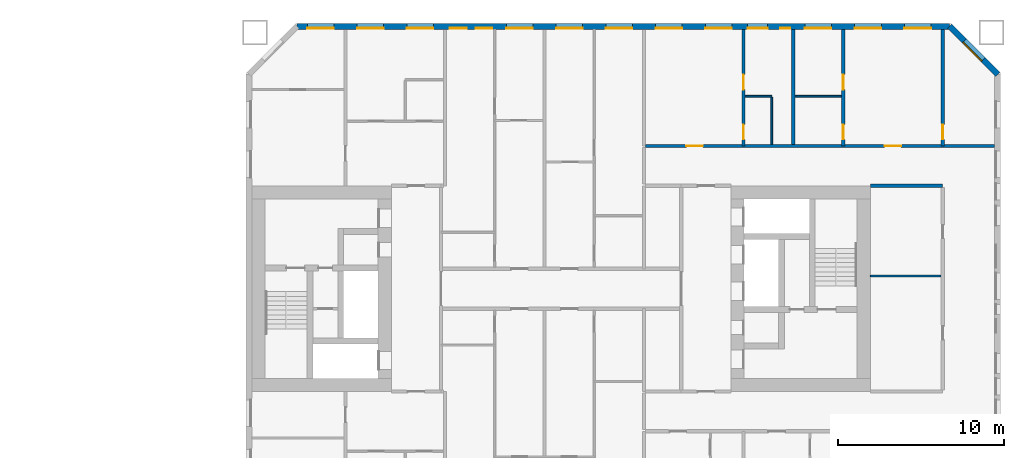
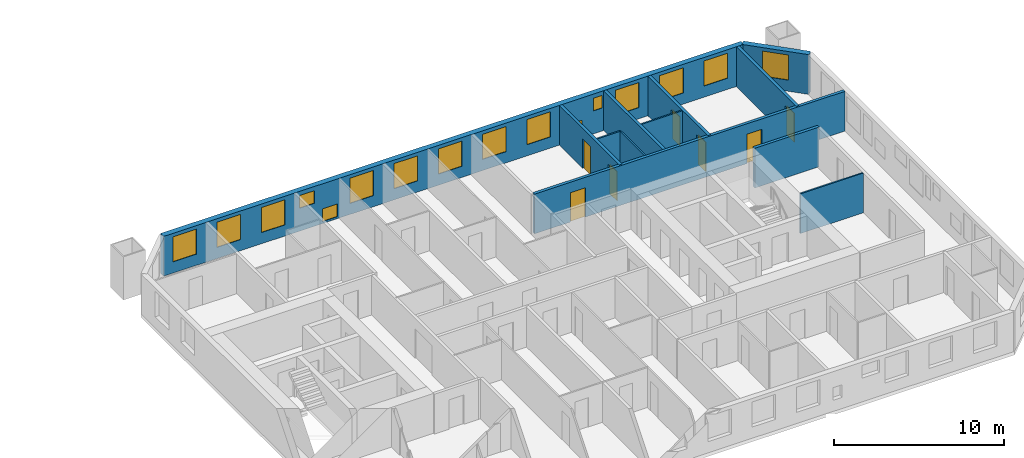
# One storey, part 14 of 17: 16 windows, 12 walls, 7 doors, 23 openings.
"""IFC4 building model written with IfcOpenShell, lengths in metres."""

from ifc_helpers import new_model, si_unit, direction, frame, frame_2d, origin, place, context, subcontext, project, spatial, rectangle, extrude, material, layer, layer_set, type_object, element, fill, save


model = new_model("IFC4")

# Units and contexts
model_context = context("Model", 3, precision=1e-05, world=origin(), true_north=direction((0.0, 1.0)))
body_context = subcontext(model_context, "Body", "Model", "MODEL_VIEW")
ifc_project = project(units=[si_unit("LENGTHUNIT", "METRE"), si_unit("AREAUNIT", "SQUARE_METRE"), si_unit("VOLUMEUNIT", "CUBIC_METRE"), si_unit("PLANEANGLEUNIT", "RADIAN"), si_unit("MASSUNIT", "GRAM", prefix="KILO")], contexts=[model_context])

# Site, building, storey
site_placement = place(None, origin())
site = spatial("IfcSite", under=ifc_project, at=site_placement, CompositionType="ELEMENT")
building_placement = place(site_placement, origin())
building = spatial("IfcBuilding", under=site, at=building_placement, Name="Tuart Gate Housing", CompositionType="ELEMENT")
storey_placement = place(building_placement, frame((0.0, 0.0, 53.60009765625)))
storey = spatial("IfcBuildingStorey", under=building, at=storey_placement, Name="L14", CompositionType="ELEMENT", Elevation=53.60009765625)

# Wall, opening, window
ifc_material_1 = material(Name="Brick", Category="masonry")
ifc_layer_1 = layer(ifc_material_1, 0.360107421875)
ifc_layer_set_1 = layer_set([ifc_layer_1], Name="Brick pier and spandrel wall 360")
wall_type_1 = type_object("IfcWallType", Name="Brick pier and spandrel wall 360", PredefinedType="STANDARD", material=ifc_layer_set_1)
wall_1_placement = place(storey_placement, frame((176.320068359375, 82.92529296875, 0.0), z_axis=(0.0, 0.0, 1.0), x_axis=(-0.707106781187, 0.707106781187, 0.0)))
wall_1 = element("IfcWall", 1, at=wall_1_placement, inside=storey, type_object=wall_type_1, Name="External wall B-NE L14", PredefinedType="STANDARD", context=body_context, shape_type="SweptSolid", body=[
    extrude(rectangle(XDim=4.09375, YDim=0.360107421875, at=frame_2d((2.046875, 0.0))), origin(), (0.0, 0.0, 1.0), 2.849853515625),
])
opening_1_placement = place(wall_1_placement, frame((1.2470703125, 0.0, 0.800048828125)))
opening_1 = element("IfcOpeningElement", 2, at=opening_1_placement, cuts=wall_1, Name="Opening W1", PredefinedType="OPENING", context=body_context, shape_type="SweptSolid", body=[
    extrude(rectangle(XDim=1.60009765625, YDim=1.800048828125, at=frame_2d((0.800048828125, 0.89990234375))), frame((0.0, 0.18994140625, 0.0), z_axis=(0.0, -1.0, 0.0), x_axis=(1.0, 0.0, 0.0)), (0.0, 0.0, 1.0), 0.380126953125),
])
ifc_material_2 = material(Name="Aluminium frame with clear glass", Category="aluminium")
window_type_1 = type_object("IfcWindowType", Name="Punched window 1600 x 1800", PartitioningType="SINGLE_PANEL", PredefinedType="WINDOW", material=ifc_material_2)
window_1_placement = place(opening_1_placement, origin())
window_1 = element("IfcWindow", 3, at=window_1_placement, inside=storey, type_object=window_type_1, Name="Window W1", OverallHeight=1.800048828125, OverallWidth=1.60009765625, PartitioningType="SINGLE_PANEL", PredefinedType="WINDOW", context=body_context, shape_type="SweptSolid", body=[
    extrude(rectangle(XDim=1.60009765625, YDim=1.800048828125, at=frame_2d((0.800048828125, 0.89990234375))), frame((0.0, 0.150146484375, 0.0), z_axis=(0.0, -1.0, 0.0), x_axis=(1.0, 0.0, 0.0)), (0.0, 0.0, 1.0), 0.06005859375),
])
fill(opening_1, window_1)

# Wall, openings, windows
wall_2_placement = place(storey_placement, frame((173.42529296875, 85.820068359375, 0.0), z_axis=(0.0, 0.0, 1.0), x_axis=(-1.0, 0.0, 0.0)))
wall_2 = element("IfcWall", 4, at=wall_2_placement, inside=storey, type_object=wall_type_1, Name="External wall B-N L14", PredefinedType="STANDARD", context=body_context, shape_type="SweptSolid", body=[
    extrude(rectangle(XDim=39.350830078125, YDim=0.360107421875, at=frame_2d((19.67529296875, 0.0))), origin(), (0.0, 0.0, 1.0), 2.849853515625),
])
opening_2_placement = place(wall_2_placement, frame((1.12548828125, 0.0, 0.800048828125)))
opening_2 = element("IfcOpeningElement", 5, at=opening_2_placement, cuts=wall_2, Name="Opening W1", PredefinedType="OPENING", context=body_context, shape_type="SweptSolid", body=[
    extrude(rectangle(XDim=1.60009765625, YDim=1.800048828125, at=frame_2d((0.800048828125, 0.89990234375))), frame((0.0, 0.18994140625, 0.0), z_axis=(0.0, -1.0, 0.0), x_axis=(1.0, 0.0, 0.0)), (0.0, 0.0, 1.0), 0.380126953125),
])
opening_3_placement = place(wall_2_placement, frame((4.12548828125, 0.0, 0.800048828125)))
opening_3 = element("IfcOpeningElement", 6, at=opening_3_placement, cuts=wall_2, Name="Opening W1", PredefinedType="OPENING", context=body_context, shape_type="SweptSolid", body=[
    extrude(rectangle(XDim=1.60009765625, YDim=1.800048828125, at=frame_2d((0.800048828125, 0.89990234375))), frame((0.0, 0.18994140625, 0.0), z_axis=(0.0, -1.0, 0.0), x_axis=(1.0, 0.0, 0.0)), (0.0, 0.0, 1.0), 0.380126953125),
])
opening_4_placement = place(wall_2_placement, frame((7.12548828125, 0.0, 0.800048828125)))
opening_4 = element("IfcOpeningElement", 7, at=opening_4_placement, cuts=wall_2, Name="Opening W1", PredefinedType="OPENING", context=body_context, shape_type="SweptSolid", body=[
    extrude(rectangle(XDim=1.60009765625, YDim=1.800048828125, at=frame_2d((0.800048828125, 0.89990234375))), frame((0.0, 0.18994140625, 0.0), z_axis=(0.0, -1.0, 0.0), x_axis=(1.0, 0.0, 0.0)), (0.0, 0.0, 1.0), 0.380126953125),
])
opening_5_placement = place(wall_2_placement, frame((9.62548828125, 0.0, 1.64990234375)))
opening_5 = element("IfcOpeningElement", 8, at=opening_5_placement, cuts=wall_2, Name="Opening W1W", PredefinedType="OPENING", context=body_context, shape_type="SweptSolid", body=[
    extrude(rectangle(XDim=0.60009765625, YDim=0.89990234375, at=frame_2d((0.300048828125, 0.449951171875))), frame((0.0, 0.18994140625, 0.0), z_axis=(0.0, -1.0, 0.0), x_axis=(1.0, 0.0, 0.0)), (0.0, 0.0, 1.0), 0.380126953125),
])
opening_6_placement = place(wall_2_placement, frame((13.12548828125, 0.0, 0.800048828125)))
opening_6 = element("IfcOpeningElement", 9, at=opening_6_placement, cuts=wall_2, Name="Opening W1", PredefinedType="OPENING", context=body_context, shape_type="SweptSolid", body=[
    extrude(rectangle(XDim=1.60009765625, YDim=1.800048828125, at=frame_2d((0.800048828125, 0.89990234375))), frame((0.0, 0.18994140625, 0.0), z_axis=(0.0, -1.0, 0.0), x_axis=(1.0, 0.0, 0.0)), (0.0, 0.0, 1.0), 0.380126953125),
])
opening_7_placement = place(wall_2_placement, frame((16.12548828125, 0.0, 0.800048828125)))
opening_7 = element("IfcOpeningElement", 10, at=opening_7_placement, cuts=wall_2, Name="Opening W1", PredefinedType="OPENING", context=body_context, shape_type="SweptSolid", body=[
    extrude(rectangle(XDim=1.60009765625, YDim=1.800048828125, at=frame_2d((0.800048828125, 0.89990234375))), frame((0.0, 0.18994140625, 0.0), z_axis=(0.0, -1.0, 0.0), x_axis=(1.0, 0.0, 0.0)), (0.0, 0.0, 1.0), 0.380126953125),
])
opening_8_placement = place(wall_2_placement, frame((19.12548828125, 0.0, 0.800048828125)))
opening_8 = element("IfcOpeningElement", 11, at=opening_8_placement, cuts=wall_2, Name="Opening W1", PredefinedType="OPENING", context=body_context, shape_type="SweptSolid", body=[
    extrude(rectangle(XDim=1.60009765625, YDim=1.800048828125, at=frame_2d((0.800048828125, 0.89990234375))), frame((0.0, 0.18994140625, 0.0), z_axis=(0.0, -1.0, 0.0), x_axis=(1.0, 0.0, 0.0)), (0.0, 0.0, 1.0), 0.380126953125),
])
opening_9_placement = place(wall_2_placement, frame((22.12548828125, 0.0, 0.800048828125)))
opening_9 = element("IfcOpeningElement", 12, at=opening_9_placement, cuts=wall_2, Name="Opening W1", PredefinedType="OPENING", context=body_context, shape_type="SweptSolid", body=[
    extrude(rectangle(XDim=1.60009765625, YDim=1.800048828125, at=frame_2d((0.800048828125, 0.89990234375))), frame((0.0, 0.18994140625, 0.0), z_axis=(0.0, -1.0, 0.0), x_axis=(1.0, 0.0, 0.0)), (0.0, 0.0, 1.0), 0.380126953125),
])
opening_10_placement = place(wall_2_placement, frame((25.12548828125, 0.0, 0.800048828125)))
opening_10 = element("IfcOpeningElement", 13, at=opening_10_placement, cuts=wall_2, Name="Opening W1", PredefinedType="OPENING", context=body_context, shape_type="SweptSolid", body=[
    extrude(rectangle(XDim=1.60009765625, YDim=1.800048828125, at=frame_2d((0.800048828125, 0.89990234375))), frame((0.0, 0.18994140625, 0.0), z_axis=(0.0, -1.0, 0.0), x_axis=(1.0, 0.0, 0.0)), (0.0, 0.0, 1.0), 0.380126953125),
])
opening_11_placement = place(wall_2_placement, frame((27.575439453125, 0.0, 0.14990234375)))
opening_11 = element("IfcOpeningElement", 14, at=opening_11_placement, cuts=wall_2, Name="Opening W1U", PredefinedType="OPENING", context=body_context, shape_type="SweptSolid", body=[
    extrude(rectangle(XDim=1.0, YDim=0.89990234375, at=frame_2d((0.5, 0.449951171875))), frame((0.0, 0.18994140625, 0.0), z_axis=(0.0, -1.0, 0.0), x_axis=(1.0, 0.0, 0.0)), (0.0, 0.0, 1.0), 0.380126953125),
])
opening_12_placement = place(wall_2_placement, frame((31.12548828125, 0.0, 0.800048828125)))
opening_12 = element("IfcOpeningElement", 15, at=opening_12_placement, cuts=wall_2, Name="Opening W1", PredefinedType="OPENING", context=body_context, shape_type="SweptSolid", body=[
    extrude(rectangle(XDim=1.60009765625, YDim=1.800048828125, at=frame_2d((0.800048828125, 0.89990234375))), frame((0.0, 0.18994140625, 0.0), z_axis=(0.0, -1.0, 0.0), x_axis=(1.0, 0.0, 0.0)), (0.0, 0.0, 1.0), 0.380126953125),
])
opening_13_placement = place(wall_2_placement, frame((34.12548828125, 0.0, 0.800048828125)))
opening_13 = element("IfcOpeningElement", 16, at=opening_13_placement, cuts=wall_2, Name="Opening W1", PredefinedType="OPENING", context=body_context, shape_type="SweptSolid", body=[
    extrude(rectangle(XDim=1.60009765625, YDim=1.800048828125, at=frame_2d((0.800048828125, 0.89990234375))), frame((0.0, 0.18994140625, 0.0), z_axis=(0.0, -1.0, 0.0), x_axis=(1.0, 0.0, 0.0)), (0.0, 0.0, 1.0), 0.380126953125),
])
opening_14_placement = place(wall_2_placement, frame((37.12548828125, 0.0, 0.800048828125)))
opening_14 = element("IfcOpeningElement", 17, at=opening_14_placement, cuts=wall_2, Name="Opening W1", PredefinedType="OPENING", context=body_context, shape_type="SweptSolid", body=[
    extrude(rectangle(XDim=1.60009765625, YDim=1.800048828125, at=frame_2d((0.800048828125, 0.89990234375))), frame((0.0, 0.18994140625, 0.0), z_axis=(0.0, -1.0, 0.0), x_axis=(1.0, 0.0, 0.0)), (0.0, 0.0, 1.0), 0.380126953125),
])
opening_15_placement = place(wall_2_placement, frame((10.975341796875, 0.0, 0.35009765625)))
opening_15 = element("IfcOpeningElement", 18, at=opening_15_placement, cuts=wall_2, Name="Opening W1T", PredefinedType="OPENING", context=body_context, shape_type="SweptSolid", body=[
    extrude(rectangle(XDim=1.199951171875, YDim=0.89990234375, at=frame_2d((0.60009765625, 0.449951171875))), frame((0.0, 0.18994140625, 0.0), z_axis=(0.0, -1.0, 0.0), x_axis=(1.0, 0.0, 0.0)), (0.0, 0.0, 1.0), 0.380126953125),
])
opening_16_placement = place(wall_2_placement, frame((29.12548828125, 0.0, 1.64990234375)))
opening_16 = element("IfcOpeningElement", 19, at=opening_16_placement, cuts=wall_2, Name="Opening W1U", PredefinedType="OPENING", context=body_context, shape_type="SweptSolid", body=[
    extrude(rectangle(XDim=1.0, YDim=0.89990234375, at=frame_2d((0.5, 0.449951171875))), frame((0.0, 0.18994140625, 0.0), z_axis=(0.0, -1.0, 0.0), x_axis=(1.0, 0.0, 0.0)), (0.0, 0.0, 1.0), 0.380126953125),
])
ifc_material_3 = material(Name="Aluminium frame with clear glass", Category="aluminium")
window_type_2 = type_object("IfcWindowType", Name="Punched window 1000 x 900", PartitioningType="SINGLE_PANEL", PredefinedType="WINDOW", material=ifc_material_3)
window_2_placement = place(opening_11_placement, origin())
window_2 = element("IfcWindow", 20, at=window_2_placement, inside=storey, type_object=window_type_2, Name="Window W1U", OverallHeight=0.89990234375, OverallWidth=1.0, PartitioningType="SINGLE_PANEL", PredefinedType="WINDOW", context=body_context, shape_type="SweptSolid", body=[
    extrude(rectangle(XDim=1.0, YDim=0.89990234375, at=frame_2d((0.5, 0.449951171875))), frame((0.0, 0.150146484375, 0.0), z_axis=(0.0, -1.0, 0.0), x_axis=(1.0, 0.0, 0.0)), (0.0, 0.0, 1.0), 0.06005859375),
])
fill(opening_11, window_2)
window_3_placement = place(opening_16_placement, origin())
window_3 = element("IfcWindow", 21, at=window_3_placement, inside=storey, type_object=window_type_2, Name="Window W1U", OverallHeight=0.89990234375, OverallWidth=1.0, PartitioningType="SINGLE_PANEL", PredefinedType="WINDOW", context=body_context, shape_type="SweptSolid", body=[
    extrude(rectangle(XDim=1.0, YDim=0.89990234375, at=frame_2d((0.5, 0.449951171875))), frame((0.0, 0.150146484375, 0.0), z_axis=(0.0, -1.0, 0.0), x_axis=(1.0, 0.0, 0.0)), (0.0, 0.0, 1.0), 0.06005859375),
])
fill(opening_16, window_3)
ifc_material_4 = material(Name="Aluminium frame with clear glass", Category="aluminium")
window_type_3 = type_object("IfcWindowType", Name="Punched window 1200 x 900", PartitioningType="SINGLE_PANEL", PredefinedType="WINDOW", material=ifc_material_4)
window_4_placement = place(opening_15_placement, origin())
window_4 = element("IfcWindow", 22, at=window_4_placement, inside=storey, type_object=window_type_3, Name="Window W1T", OverallHeight=0.89990234375, OverallWidth=1.199951171875, PartitioningType="SINGLE_PANEL", PredefinedType="WINDOW", context=body_context, shape_type="SweptSolid", body=[
    extrude(rectangle(XDim=1.199951171875, YDim=0.89990234375, at=frame_2d((0.60009765625, 0.449951171875))), frame((0.0, 0.150146484375, 0.0), z_axis=(0.0, -1.0, 0.0), x_axis=(1.0, 0.0, 0.0)), (0.0, 0.0, 1.0), 0.06005859375),
])
fill(opening_15, window_4)
window_5_placement = place(opening_2_placement, origin())
window_5 = element("IfcWindow", 23, at=window_5_placement, inside=storey, type_object=window_type_1, Name="Window W1", OverallHeight=1.800048828125, OverallWidth=1.60009765625, PartitioningType="SINGLE_PANEL", PredefinedType="WINDOW", context=body_context, shape_type="SweptSolid", body=[
    extrude(rectangle(XDim=1.60009765625, YDim=1.800048828125, at=frame_2d((0.800048828125, 0.89990234375))), frame((0.0, 0.150146484375, 0.0), z_axis=(0.0, -1.0, 0.0), x_axis=(1.0, 0.0, 0.0)), (0.0, 0.0, 1.0), 0.06005859375),
])
fill(opening_2, window_5)
window_6_placement = place(opening_3_placement, origin())
window_6 = element("IfcWindow", 24, at=window_6_placement, inside=storey, type_object=window_type_1, Name="Window W1", OverallHeight=1.800048828125, OverallWidth=1.60009765625, PartitioningType="SINGLE_PANEL", PredefinedType="WINDOW", context=body_context, shape_type="SweptSolid", body=[
    extrude(rectangle(XDim=1.60009765625, YDim=1.800048828125, at=frame_2d((0.800048828125, 0.89990234375))), frame((0.0, 0.150146484375, 0.0), z_axis=(0.0, -1.0, 0.0), x_axis=(1.0, 0.0, 0.0)), (0.0, 0.0, 1.0), 0.06005859375),
])
fill(opening_3, window_6)
window_7_placement = place(opening_4_placement, origin())
window_7 = element("IfcWindow", 25, at=window_7_placement, inside=storey, type_object=window_type_1, Name="Window W1", OverallHeight=1.800048828125, OverallWidth=1.60009765625, PartitioningType="SINGLE_PANEL", PredefinedType="WINDOW", context=body_context, shape_type="SweptSolid", body=[
    extrude(rectangle(XDim=1.60009765625, YDim=1.800048828125, at=frame_2d((0.800048828125, 0.89990234375))), frame((0.0, 0.150146484375, 0.0), z_axis=(0.0, -1.0, 0.0), x_axis=(1.0, 0.0, 0.0)), (0.0, 0.0, 1.0), 0.06005859375),
])
fill(opening_4, window_7)
window_8_placement = place(opening_6_placement, origin())
window_8 = element("IfcWindow", 26, at=window_8_placement, inside=storey, type_object=window_type_1, Name="Window W1", OverallHeight=1.800048828125, OverallWidth=1.60009765625, PartitioningType="SINGLE_PANEL", PredefinedType="WINDOW", context=body_context, shape_type="SweptSolid", body=[
    extrude(rectangle(XDim=1.60009765625, YDim=1.800048828125, at=frame_2d((0.800048828125, 0.89990234375))), frame((0.0, 0.150146484375, 0.0), z_axis=(0.0, -1.0, 0.0), x_axis=(1.0, 0.0, 0.0)), (0.0, 0.0, 1.0), 0.06005859375),
])
fill(opening_6, window_8)
window_9_placement = place(opening_7_placement, origin())
window_9 = element("IfcWindow", 27, at=window_9_placement, inside=storey, type_object=window_type_1, Name="Window W1", OverallHeight=1.800048828125, OverallWidth=1.60009765625, PartitioningType="SINGLE_PANEL", PredefinedType="WINDOW", context=body_context, shape_type="SweptSolid", body=[
    extrude(rectangle(XDim=1.60009765625, YDim=1.800048828125, at=frame_2d((0.800048828125, 0.89990234375))), frame((0.0, 0.150146484375, 0.0), z_axis=(0.0, -1.0, 0.0), x_axis=(1.0, 0.0, 0.0)), (0.0, 0.0, 1.0), 0.06005859375),
])
fill(opening_7, window_9)
window_10_placement = place(opening_8_placement, origin())
window_10 = element("IfcWindow", 28, at=window_10_placement, inside=storey, type_object=window_type_1, Name="Window W1", OverallHeight=1.800048828125, OverallWidth=1.60009765625, PartitioningType="SINGLE_PANEL", PredefinedType="WINDOW", context=body_context, shape_type="SweptSolid", body=[
    extrude(rectangle(XDim=1.60009765625, YDim=1.800048828125, at=frame_2d((0.800048828125, 0.89990234375))), frame((0.0, 0.150146484375, 0.0), z_axis=(0.0, -1.0, 0.0), x_axis=(1.0, 0.0, 0.0)), (0.0, 0.0, 1.0), 0.06005859375),
])
fill(opening_8, window_10)
window_11_placement = place(opening_9_placement, origin())
window_11 = element("IfcWindow", 29, at=window_11_placement, inside=storey, type_object=window_type_1, Name="Window W1", OverallHeight=1.800048828125, OverallWidth=1.60009765625, PartitioningType="SINGLE_PANEL", PredefinedType="WINDOW", context=body_context, shape_type="SweptSolid", body=[
    extrude(rectangle(XDim=1.60009765625, YDim=1.800048828125, at=frame_2d((0.800048828125, 0.89990234375))), frame((0.0, 0.150146484375, 0.0), z_axis=(0.0, -1.0, 0.0), x_axis=(1.0, 0.0, 0.0)), (0.0, 0.0, 1.0), 0.06005859375),
])
fill(opening_9, window_11)
window_12_placement = place(opening_10_placement, origin())
window_12 = element("IfcWindow", 30, at=window_12_placement, inside=storey, type_object=window_type_1, Name="Window W1", OverallHeight=1.800048828125, OverallWidth=1.60009765625, PartitioningType="SINGLE_PANEL", PredefinedType="WINDOW", context=body_context, shape_type="SweptSolid", body=[
    extrude(rectangle(XDim=1.60009765625, YDim=1.800048828125, at=frame_2d((0.800048828125, 0.89990234375))), frame((0.0, 0.150146484375, 0.0), z_axis=(0.0, -1.0, 0.0), x_axis=(1.0, 0.0, 0.0)), (0.0, 0.0, 1.0), 0.06005859375),
])
fill(opening_10, window_12)
window_13_placement = place(opening_12_placement, origin())
window_13 = element("IfcWindow", 31, at=window_13_placement, inside=storey, type_object=window_type_1, Name="Window W1", OverallHeight=1.800048828125, OverallWidth=1.60009765625, PartitioningType="SINGLE_PANEL", PredefinedType="WINDOW", context=body_context, shape_type="SweptSolid", body=[
    extrude(rectangle(XDim=1.60009765625, YDim=1.800048828125, at=frame_2d((0.800048828125, 0.89990234375))), frame((0.0, 0.150146484375, 0.0), z_axis=(0.0, -1.0, 0.0), x_axis=(1.0, 0.0, 0.0)), (0.0, 0.0, 1.0), 0.06005859375),
])
fill(opening_12, window_13)
window_14_placement = place(opening_13_placement, origin())
window_14 = element("IfcWindow", 32, at=window_14_placement, inside=storey, type_object=window_type_1, Name="Window W1", OverallHeight=1.800048828125, OverallWidth=1.60009765625, PartitioningType="SINGLE_PANEL", PredefinedType="WINDOW", context=body_context, shape_type="SweptSolid", body=[
    extrude(rectangle(XDim=1.60009765625, YDim=1.800048828125, at=frame_2d((0.800048828125, 0.89990234375))), frame((0.0, 0.150146484375, 0.0), z_axis=(0.0, -1.0, 0.0), x_axis=(1.0, 0.0, 0.0)), (0.0, 0.0, 1.0), 0.06005859375),
])
fill(opening_13, window_14)
window_15_placement = place(opening_14_placement, origin())
window_15 = element("IfcWindow", 33, at=window_15_placement, inside=storey, type_object=window_type_1, Name="Window W1", OverallHeight=1.800048828125, OverallWidth=1.60009765625, PartitioningType="SINGLE_PANEL", PredefinedType="WINDOW", context=body_context, shape_type="SweptSolid", body=[
    extrude(rectangle(XDim=1.60009765625, YDim=1.800048828125, at=frame_2d((0.800048828125, 0.89990234375))), frame((0.0, 0.150146484375, 0.0), z_axis=(0.0, -1.0, 0.0), x_axis=(1.0, 0.0, 0.0)), (0.0, 0.0, 1.0), 0.06005859375),
])
fill(opening_14, window_15)
ifc_material_5 = material(Name="Aluminium frame with clear glass", Category="aluminium")
window_type_4 = type_object("IfcWindowType", Name="Punched window 600 x 900", PartitioningType="SINGLE_PANEL", PredefinedType="WINDOW", material=ifc_material_5)
window_16_placement = place(opening_5_placement, origin())
window_16 = element("IfcWindow", 34, at=window_16_placement, inside=storey, type_object=window_type_4, Name="Window W1W", OverallHeight=0.89990234375, OverallWidth=0.60009765625, PartitioningType="SINGLE_PANEL", PredefinedType="WINDOW", context=body_context, shape_type="SweptSolid", body=[
    extrude(rectangle(XDim=0.60009765625, YDim=0.89990234375, at=frame_2d((0.300048828125, 0.449951171875))), frame((0.0, 0.150146484375, 0.0), z_axis=(0.0, -1.0, 0.0), x_axis=(1.0, 0.0, 0.0)), (0.0, 0.0, 1.0), 0.06005859375),
])
fill(opening_5, window_16)

# Wall
ifc_material_6 = material(Name="Concrete masonry 15 MPa", Category="masonry")
ifc_layer_2 = layer(ifc_material_6, 0.199951171875)
ifc_layer_set_2 = layer_set([ifc_layer_2], Name="Corridor wall masonry 200")
wall_type_2 = type_object("IfcWallType", Name="Corridor wall masonry 200", PredefinedType="PARTITIONING", material=ifc_layer_set_2)
wall_3_placement = place(storey_placement, frame((168.639892578125, 76.199951171875, 0.0), z_axis=(0.0, 0.0, 1.0), x_axis=(1.0, 0.0, 0.0)))
element("IfcWall", 35, at=wall_3_placement, inside=storey, type_object=wall_type_2, Name="Corridor wall masonry 200", PredefinedType="PARTITIONING", context=body_context, shape_type="SweptSolid", body=[
    extrude(rectangle(XDim=4.360107421875, YDim=0.199951171875, at=frame_2d((2.18017578125, 0.0))), origin(), (0.0, 0.0, 1.0), 2.849853515625),
])

# Wall, openings, doors
wall_4_placement = place(storey_placement, frame((155.10009765625, 78.60009765625, 0.0), z_axis=(0.0, 0.0, 1.0), x_axis=(1.0, 0.0, 0.0)))
wall_4 = element("IfcWall", 36, at=wall_4_placement, inside=storey, type_object=wall_type_2, Name="Corridor wall masonry 200", PredefinedType="PARTITIONING", context=body_context, shape_type="SweptSolid", body=[
    extrude(rectangle(XDim=21.039794921875, YDim=0.199951171875, at=frame_2d((10.52001953125, 0.0))), origin(), (0.0, 0.0, 1.0), 2.849853515625),
])
opening_17_placement = place(wall_4_placement, frame((2.449951171875, 0.0, 0.0)))
opening_17 = element("IfcOpeningElement", 37, at=opening_17_placement, cuts=wall_4, Name="Opening D788", PredefinedType="OPENING", context=body_context, shape_type="SweptSolid", body=[
    extrude(rectangle(XDim=1.0, YDim=2.10009765625, at=frame_2d((0.5, 1.050048828125))), frame((0.0, 0.10986328125, 0.0), z_axis=(0.0, -1.0, 0.0), x_axis=(1.0, 0.0, 0.0)), (0.0, 0.0, 1.0), 0.219970703125),
])
opening_18_placement = place(wall_4_placement, frame((14.39990234375, 0.0, 0.0)))
opening_18 = element("IfcOpeningElement", 38, at=opening_18_placement, cuts=wall_4, Name="Opening D789", PredefinedType="OPENING", context=body_context, shape_type="SweptSolid", body=[
    extrude(rectangle(XDim=1.0, YDim=2.10009765625, at=frame_2d((0.5, 1.050048828125))), frame((0.0, 0.10986328125, 0.0), z_axis=(0.0, -1.0, 0.0), x_axis=(1.0, 0.0, 0.0)), (0.0, 0.0, 1.0), 0.219970703125),
])
ifc_material_7 = material(Name="Timber door leaf in steel frame", Category="steel")
door_type_1 = type_object("IfcDoorType", Name="Flat entrance door 1000", OperationType="SINGLE_SWING_LEFT", PredefinedType="DOOR", material=ifc_material_7)
door_1_placement = place(opening_18_placement, origin())
door_1 = element("IfcDoor", 39, at=door_1_placement, inside=storey, type_object=door_type_1, Name="Flat entrance door", OperationType="SINGLE_SWING_LEFT", OverallHeight=2.10009765625, OverallWidth=1.0, PredefinedType="DOOR", context=body_context, shape_type="SweptSolid", body=[
    extrude(rectangle(XDim=1.0, YDim=2.10009765625, at=frame_2d((0.5, 1.050048828125))), frame((0.0, 0.02490234375, 0.0), z_axis=(0.0, -1.0, 0.0), x_axis=(1.0, 0.0, 0.0)), (0.0, 0.0, 1.0), 0.050048828125),
])
fill(opening_18, door_1)
ifc_material_8 = material(Name="Timber door leaf in steel frame", Category="steel")
door_type_2 = type_object("IfcDoorType", Name="Flat entrance door 1000 RH", OperationType="SINGLE_SWING_RIGHT", PredefinedType="DOOR", material=ifc_material_8)
door_2_placement = place(opening_17_placement, origin())
door_2 = element("IfcDoor", 40, at=door_2_placement, inside=storey, type_object=door_type_2, Name="Flat entrance door", OperationType="SINGLE_SWING_RIGHT", OverallHeight=2.10009765625, OverallWidth=1.0, PredefinedType="DOOR", context=body_context, shape_type="SweptSolid", body=[
    extrude(rectangle(XDim=1.0, YDim=2.10009765625, at=frame_2d((0.5, 1.050048828125))), frame((0.0, 0.02490234375, 0.0), z_axis=(0.0, -1.0, 0.0), x_axis=(1.0, 0.0, 0.0)), (0.0, 0.0, 1.0), 0.050048828125),
])
fill(opening_17, door_2)

# Walls
ifc_material_9 = material(Name="Gypsum board on steel studs", Category="steel")
ifc_layer_3 = layer(ifc_material_9, 0.10009765625)
ifc_layer_set_3 = layer_set([ifc_layer_3], Name="Partition 100")
wall_type_3 = type_object("IfcWallType", Name="Partition 100", PredefinedType="PARTITIONING", material=ifc_layer_set_3)
wall_5_placement = place(storey_placement, frame((168.639892578125, 70.77001953125, 0.0), z_axis=(0.0, 0.0, 1.0), x_axis=(1.0, 0.0, 0.0)))
element("IfcWall", 41, at=wall_5_placement, inside=storey, type_object=wall_type_3, Name="Partition 100", PredefinedType="PARTITIONING", context=body_context, shape_type="SweptSolid", body=[
    extrude(rectangle(XDim=4.260009765625, YDim=0.10009765625, at=frame_2d((2.1298828125, 0.0))), origin(), (0.0, 0.0, 1.0), 2.849853515625),
])
wall_6_placement = place(storey_placement, frame((161.10009765625, 81.60009765625, 0.0), z_axis=(0.0, 0.0, 1.0), x_axis=(1.0, 0.0, 0.0)))
element("IfcWall", 42, at=wall_6_placement, inside=storey, type_object=wall_type_3, Name="Partition 100", PredefinedType="PARTITIONING", context=body_context, shape_type="SweptSolid", body=[
    extrude(rectangle(XDim=1.599853515625, YDim=0.10009765625, at=frame_2d((0.7998046875, 0.0))), origin(), (0.0, 0.0, 1.0), 2.849853515625),
])
wall_7_placement = place(storey_placement, frame((164.10009765625, 81.60009765625, 0.0), z_axis=(0.0, 0.0, 1.0), x_axis=(1.0, 0.0, 0.0)))
element("IfcWall", 43, at=wall_7_placement, inside=storey, type_object=wall_type_3, Name="Partition 100", PredefinedType="PARTITIONING", context=body_context, shape_type="SweptSolid", body=[
    extrude(rectangle(XDim=2.7998046875, YDim=0.10009765625, at=frame_2d((1.39990234375, 0.0))), origin(), (0.0, 0.0, 1.0), 2.849853515625),
])
wall_8_placement = place(storey_placement, frame((162.699951171875, 78.699951171875, 0.0), z_axis=(0.0, 0.0, 1.0), x_axis=(0.0, 1.0, 0.0)))
element("IfcWall", 44, at=wall_8_placement, inside=storey, type_object=wall_type_3, Name="Partition 100", PredefinedType="PARTITIONING", context=body_context, shape_type="SweptSolid", body=[
    extrude(rectangle(XDim=2.85009765625, YDim=0.10009765625, at=frame_2d((1.425048828125, 0.0))), origin(), (0.0, 0.0, 1.0), 2.849853515625),
])

# Wall, openings, doors
ifc_material_10 = material(Name="Concrete C40", Category="concrete")
ifc_layer_4 = layer(ifc_material_10, 0.199951171875)
ifc_layer_set_4 = layer_set([ifc_layer_4], Name="Party wall concrete C40 200")
wall_type_4 = type_object("IfcWallType", Name="Party wall concrete C40 200", PredefinedType="SOLIDWALL", material=ifc_layer_set_4)
wall_9_placement = place(storey_placement, frame((161.0, 78.60009765625, 0.0), z_axis=(0.0, 0.0, 1.0), x_axis=(0.0, 1.0, 0.0)))
wall_9 = element("IfcWall", 45, at=wall_9_placement, inside=storey, type_object=wall_type_4, Name="Party wall concrete C40 200", PredefinedType="SOLIDWALL", context=body_context, shape_type="SweptSolid", body=[
    extrude(rectangle(XDim=7.039794921875, YDim=0.199951171875, at=frame_2d((3.52001953125, 0.0))), origin(), (0.0, 0.0, 1.0), 2.849853515625),
])
opening_19_placement = place(wall_9_placement, frame((3.39990234375, 0.0, 0.0)))
opening_19 = element("IfcOpeningElement", 46, at=opening_19_placement, cuts=wall_9, Name="Opening D779", PredefinedType="OPENING", context=body_context, shape_type="SweptSolid", body=[
    extrude(rectangle(XDim=0.89990234375, YDim=2.10009765625, at=frame_2d((0.449951171875, 1.050048828125))), frame((0.0, 0.10986328125, 0.0), z_axis=(0.0, -1.0, 0.0), x_axis=(1.0, 0.0, 0.0)), (0.0, 0.0, 1.0), 0.219970703125),
])
opening_20_placement = place(wall_9_placement, frame((0.39990234375, 0.0, 0.0)))
opening_20 = element("IfcOpeningElement", 47, at=opening_20_placement, cuts=wall_9, Name="Opening D778", PredefinedType="OPENING", context=body_context, shape_type="SweptSolid", body=[
    extrude(rectangle(XDim=0.89990234375, YDim=2.10009765625, at=frame_2d((0.449951171875, 1.050048828125))), frame((0.0, 0.10986328125, 0.0), z_axis=(0.0, -1.0, 0.0), x_axis=(1.0, 0.0, 0.0)), (0.0, 0.0, 1.0), 0.219970703125),
])
ifc_material_11 = material(Name="Timber door leaf in steel frame", Category="steel")
door_type_3 = type_object("IfcDoorType", Name="Bathroom door 900 RH", OperationType="SINGLE_SWING_RIGHT", PredefinedType="DOOR", material=ifc_material_11)
door_3_placement = place(opening_20_placement, frame((0.89990234375, 0.0, 0.0), z_axis=(0.0, 0.0, 1.0), x_axis=(-1.0, 0.0, 0.0)))
door_3 = element("IfcDoor", 48, at=door_3_placement, inside=storey, type_object=door_type_3, Name="Bathroom door", OperationType="SINGLE_SWING_RIGHT", OverallHeight=2.10009765625, OverallWidth=0.89990234375, PredefinedType="DOOR", context=body_context, shape_type="SweptSolid", body=[
    extrude(rectangle(XDim=0.89990234375, YDim=2.10009765625, at=frame_2d((0.449951171875, 1.050048828125))), frame((0.0, 0.025146484375, 0.0), z_axis=(0.0, -1.0, 0.0), x_axis=(1.0, 0.0, 0.0)), (0.0, 0.0, 1.0), 0.050048828125),
])
fill(opening_20, door_3)
ifc_material_12 = material(Name="Timber door leaf in steel frame", Category="steel")
door_type_4 = type_object("IfcDoorType", Name="Internal door 900 RH", OperationType="SINGLE_SWING_RIGHT", PredefinedType="DOOR", material=ifc_material_12)
door_4_placement = place(opening_19_placement, frame((0.89990234375, 0.0, 0.0), z_axis=(0.0, 0.0, 1.0), x_axis=(-1.0, 0.0, 0.0)))
door_4 = element("IfcDoor", 49, at=door_4_placement, inside=storey, type_object=door_type_4, Name="Internal door", OperationType="SINGLE_SWING_RIGHT", OverallHeight=2.10009765625, OverallWidth=0.89990234375, PredefinedType="DOOR", context=body_context, shape_type="SweptSolid", body=[
    extrude(rectangle(XDim=0.89990234375, YDim=2.10009765625, at=frame_2d((0.449951171875, 1.050048828125))), frame((0.0, 0.025146484375, 0.0), z_axis=(0.0, -1.0, 0.0), x_axis=(1.0, 0.0, 0.0)), (0.0, 0.0, 1.0), 0.050048828125),
])
fill(opening_19, door_4)

wall_10_placement = place(storey_placement, frame((167.0, 78.60009765625, 0.0), z_axis=(0.0, 0.0, 1.0), x_axis=(0.0, 1.0, 0.0)))
wall_10 = element("IfcWall", 50, at=wall_10_placement, inside=storey, type_object=wall_type_4, Name="Party wall concrete C40 200", PredefinedType="SOLIDWALL", context=body_context, shape_type="SweptSolid", body=[
    extrude(rectangle(XDim=7.039794921875, YDim=0.199951171875, at=frame_2d((3.52001953125, 0.0))), origin(), (0.0, 0.0, 1.0), 2.849853515625),
])
opening_21_placement = place(wall_10_placement, frame((3.39990234375, 0.0, 0.0)))
opening_21 = element("IfcOpeningElement", 51, at=opening_21_placement, cuts=wall_10, Name="Opening D781", PredefinedType="OPENING", context=body_context, shape_type="SweptSolid", body=[
    extrude(rectangle(XDim=0.89990234375, YDim=2.10009765625, at=frame_2d((0.449951171875, 1.050048828125))), frame((0.0, 0.10986328125, 0.0), z_axis=(0.0, -1.0, 0.0), x_axis=(1.0, 0.0, 0.0)), (0.0, 0.0, 1.0), 0.219970703125),
])
opening_22_placement = place(wall_10_placement, frame((0.39990234375, 0.0, 0.0)))
opening_22 = element("IfcOpeningElement", 52, at=opening_22_placement, cuts=wall_10, Name="Opening D780", PredefinedType="OPENING", context=body_context, shape_type="SweptSolid", body=[
    extrude(rectangle(XDim=0.89990234375, YDim=2.10009765625, at=frame_2d((0.449951171875, 1.050048828125))), frame((0.0, 0.10986328125, 0.0), z_axis=(0.0, -1.0, 0.0), x_axis=(1.0, 0.0, 0.0)), (0.0, 0.0, 1.0), 0.219970703125),
])
ifc_material_13 = material(Name="Timber door leaf in steel frame", Category="steel")
door_type_5 = type_object("IfcDoorType", Name="Bathroom door 900", OperationType="SINGLE_SWING_LEFT", PredefinedType="DOOR", material=ifc_material_13)
door_5_placement = place(opening_22_placement, origin())
door_5 = element("IfcDoor", 53, at=door_5_placement, inside=storey, type_object=door_type_5, Name="Bathroom door", OperationType="SINGLE_SWING_LEFT", OverallHeight=2.10009765625, OverallWidth=0.89990234375, PredefinedType="DOOR", context=body_context, shape_type="SweptSolid", body=[
    extrude(rectangle(XDim=0.89990234375, YDim=2.10009765625, at=frame_2d((0.449951171875, 1.050048828125))), frame((0.0, 0.02490234375, 0.0), z_axis=(0.0, -1.0, 0.0), x_axis=(1.0, 0.0, 0.0)), (0.0, 0.0, 1.0), 0.050048828125),
])
fill(opening_22, door_5)
ifc_material_14 = material(Name="Timber door leaf in steel frame", Category="steel")
door_type_6 = type_object("IfcDoorType", Name="Internal door 900", OperationType="SINGLE_SWING_LEFT", PredefinedType="DOOR", material=ifc_material_14)
door_6_placement = place(opening_21_placement, origin())
door_6 = element("IfcDoor", 54, at=door_6_placement, inside=storey, type_object=door_type_6, Name="Internal door", OperationType="SINGLE_SWING_LEFT", OverallHeight=2.10009765625, OverallWidth=0.89990234375, PredefinedType="DOOR", context=body_context, shape_type="SweptSolid", body=[
    extrude(rectangle(XDim=0.89990234375, YDim=2.10009765625, at=frame_2d((0.449951171875, 1.050048828125))), frame((0.0, 0.02490234375, 0.0), z_axis=(0.0, -1.0, 0.0), x_axis=(1.0, 0.0, 0.0)), (0.0, 0.0, 1.0), 0.050048828125),
])
fill(opening_21, door_6)

# Wall, opening, door
wall_11_placement = place(storey_placement, frame((173.0, 78.60009765625, 0.0), z_axis=(0.0, 0.0, 1.0), x_axis=(0.0, 1.0, 0.0)))
wall_11 = element("IfcWall", 55, at=wall_11_placement, inside=storey, type_object=wall_type_4, Name="Party wall concrete C40 200", PredefinedType="SOLIDWALL", context=body_context, shape_type="SweptSolid", body=[
    extrude(rectangle(XDim=7.039794921875, YDim=0.199951171875, at=frame_2d((3.52001953125, 0.0))), origin(), (0.0, 0.0, 1.0), 2.849853515625),
])
opening_23_placement = place(wall_11_placement, frame((0.39990234375, 0.0, 0.0)))
opening_23 = element("IfcOpeningElement", 56, at=opening_23_placement, cuts=wall_11, Name="Opening D782", PredefinedType="OPENING", context=body_context, shape_type="SweptSolid", body=[
    extrude(rectangle(XDim=0.89990234375, YDim=2.10009765625, at=frame_2d((0.449951171875, 1.050048828125))), frame((0.0, 0.10986328125, 0.0), z_axis=(0.0, -1.0, 0.0), x_axis=(1.0, 0.0, 0.0)), (0.0, 0.0, 1.0), 0.219970703125),
])
door_7_placement = place(opening_23_placement, frame((0.89990234375, 0.0, 0.0), z_axis=(0.0, 0.0, 1.0), x_axis=(-1.0, 0.0, 0.0)))
door_7 = element("IfcDoor", 57, at=door_7_placement, inside=storey, type_object=door_type_4, Name="Internal door", OperationType="SINGLE_SWING_RIGHT", OverallHeight=2.10009765625, OverallWidth=0.89990234375, PredefinedType="DOOR", context=body_context, shape_type="SweptSolid", body=[
    extrude(rectangle(XDim=0.89990234375, YDim=2.10009765625, at=frame_2d((0.449951171875, 1.050048828125))), frame((0.0, 0.025146484375, 0.0), z_axis=(0.0, -1.0, 0.0), x_axis=(1.0, 0.0, 0.0)), (0.0, 0.0, 1.0), 0.050048828125),
])
fill(opening_23, door_7)

# Wall
ifc_material_15 = material(Name="Concrete masonry 15 MPa", Category="masonry")
ifc_layer_5 = layer(ifc_material_15, 0.199951171875)
ifc_layer_set_5 = layer_set([ifc_layer_5], Name="Party wall masonry 200")
wall_type_5 = type_object("IfcWallType", Name="Party wall masonry 200", PredefinedType="PARTITIONING", material=ifc_layer_set_5)
wall_12_placement = place(storey_placement, frame((164.0, 78.699951171875, 0.0), z_axis=(0.0, 0.0, 1.0), x_axis=(0.0, 1.0, 0.0)))
element("IfcWall", 58, at=wall_12_placement, inside=storey, type_object=wall_type_5, Name="Party wall masonry 200", PredefinedType="PARTITIONING", context=body_context, shape_type="SweptSolid", body=[
    extrude(rectangle(XDim=6.93994140625, YDim=0.199951171875, at=frame_2d((3.469970703125, 0.0))), origin(), (0.0, 0.0, 1.0), 2.849853515625),
])

save(model, "model.ifc")
